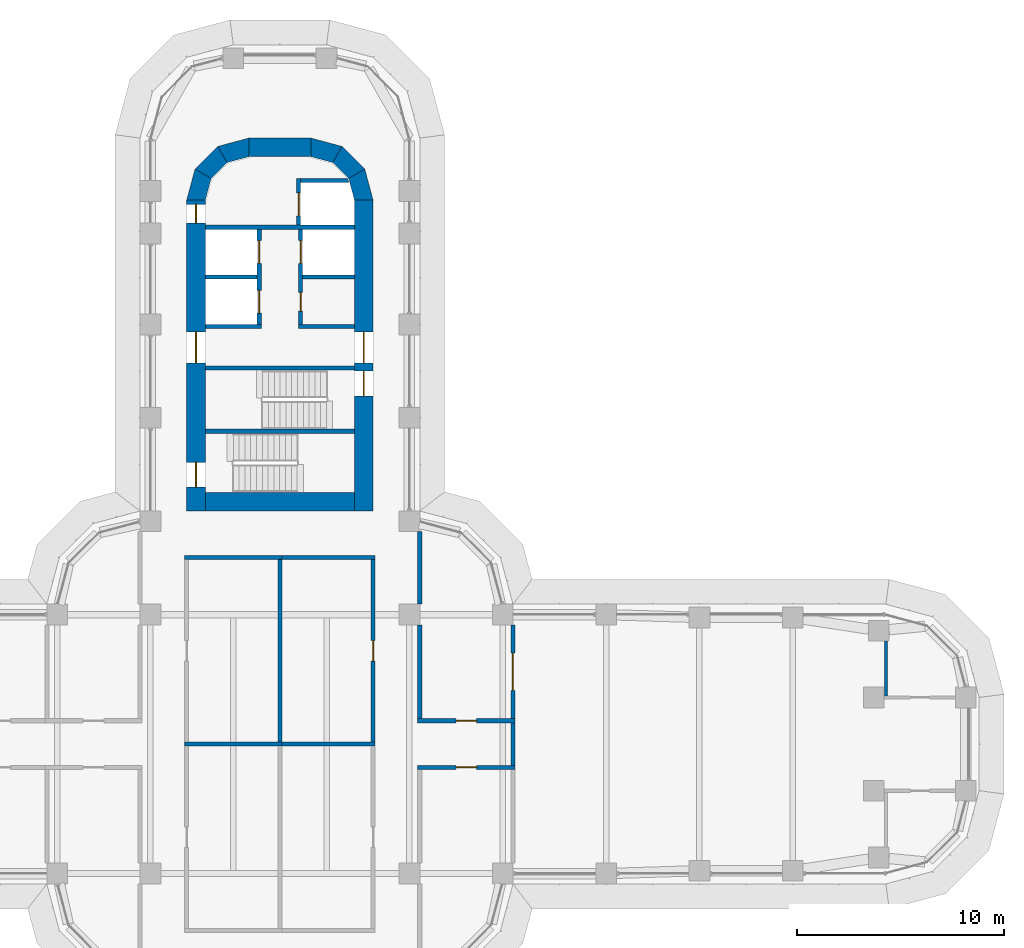
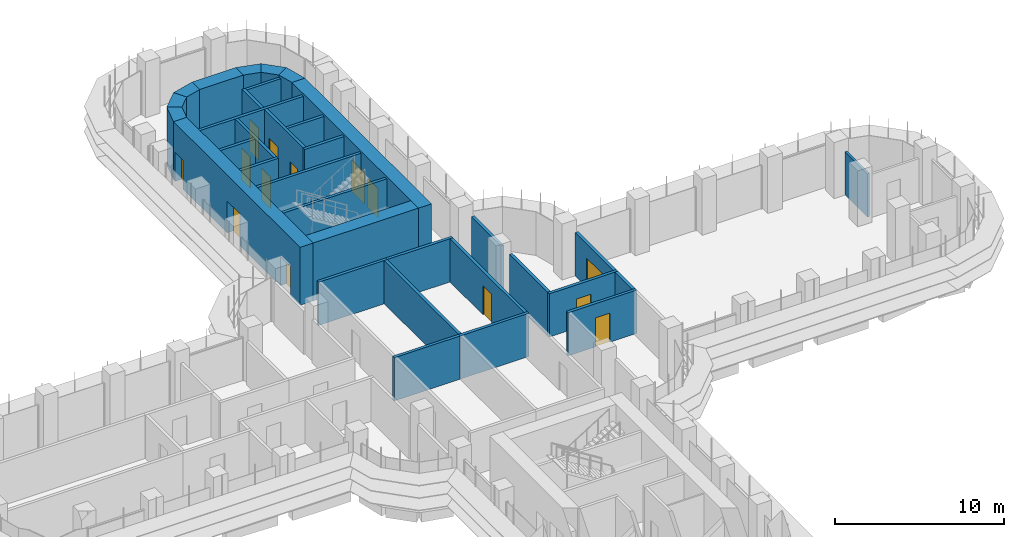
# One storey, part 18 of 23: 34 walls, 14 doors, 14 openings.
"""IFC4 building model written with IfcOpenShell, lengths in metres."""

from ifc_helpers import new_model, si_unit, direction, frame, frame_2d, origin, place, context, subcontext, project, spatial, polyline, rectangle, outline, extrude, material, layer, layer_set, type_object, element, fill, save


model = new_model("IFC4")

# Units and contexts
model_context = context("Model", 3, precision=1e-05, world=origin(), true_north=direction((0.0, 1.0)))
body_context = subcontext(model_context, "Body", "Model", "MODEL_VIEW")
ifc_project = project(units=[si_unit("LENGTHUNIT", "METRE"), si_unit("AREAUNIT", "SQUARE_METRE"), si_unit("VOLUMEUNIT", "CUBIC_METRE"), si_unit("PLANEANGLEUNIT", "RADIAN"), si_unit("MASSUNIT", "GRAM", prefix="KILO")], contexts=[model_context])

# Site, building, storey
site_placement = place(None, origin())
site = spatial("IfcSite", under=ifc_project, at=site_placement, CompositionType="ELEMENT")
building_placement = place(site_placement, origin())
building = spatial("IfcBuilding", under=site, at=building_placement, Name="Zarbagh Exchange Tower", CompositionType="ELEMENT")
storey_placement = place(building_placement, frame((0.0, 0.0, 56.39990234375)))
storey = spatial("IfcBuildingStorey", under=building, at=storey_placement, Name="L12", CompositionType="ELEMENT", Elevation=56.39990234375)

# Wall
ifc_material_1 = material(Name="Plasterboard partition")
ifc_layer_1 = layer(ifc_material_1, 0.14990234375)
ifc_layer_set_1 = layer_set([ifc_layer_1], Name="PARTITION 150")
wall_type_1 = type_object("IfcWallType", Name="PARTITION 150", PredefinedType="PARTITIONING", material=ifc_layer_set_1)
wall_1_placement = place(storey_placement, frame((29.25, 2.324951171875, 0.0), z_axis=(0.0, 0.0, 1.0), x_axis=(0.0, 1.0, 0.0)))
element("IfcWall", 1, at=wall_1_placement, inside=storey, type_object=wall_type_1, Name="Partition W-426", PredefinedType="PARTITIONING", context=body_context, shape_type="SweptSolid", body=[
    extrude(rectangle(XDim=2.650146484375, YDim=0.14990234375, at=frame_2d((1.3251953125, 0.0))), origin(), (0.0, 0.0, 1.0), 3.130615234375),
])

# Wall, opening, door
ifc_material_2 = material(Name="Fire-rated plasterboard partition")
ifc_layer_2 = layer(ifc_material_2, 0.199951171875)
ifc_layer_set_2 = layer_set([ifc_layer_2], Name="RATED PARTITION 200")
wall_type_2 = type_object("IfcWallType", Name="RATED PARTITION 200", PredefinedType="PARTITIONING", material=ifc_layer_set_2)
wall_2_placement = place(storey_placement, frame((4.5, 0.10009765625, 0.0), z_axis=(0.0, 0.0, 1.0), x_axis=(0.0, 1.0, 0.0)))
wall_2 = element("IfcWall", 2, at=wall_2_placement, inside=storey, type_object=wall_type_2, Name="Partition W-407", PredefinedType="PARTITIONING", context=body_context, shape_type="SweptSolid", body=[
    extrude(rectangle(XDim=8.7998046875, YDim=0.199951171875, at=frame_2d((4.39990234375, 0.0))), origin(), (0.0, 0.0, 1.0), 3.130615234375),
])
opening_1_placement = place(wall_2_placement, frame((3.89990234375, 0.0, 0.0)))
opening_1 = element("IfcOpeningElement", 3, at=opening_1_placement, cuts=wall_2, Name="Opening D-401", PredefinedType="OPENING", context=body_context, shape_type="SweptSolid", body=[
    extrude(rectangle(XDim=1.0, YDim=2.10009765625, at=frame_2d((0.5, 1.050048828125))), frame((0.0, 0.10986328125, 0.0), z_axis=(0.0, -1.0, 0.0), x_axis=(1.0, 0.0, 0.0)), (0.0, 0.0, 1.0), 0.219970703125),
])
ifc_material_3 = material(Name="Steel door set", Category="steel")
door_type_1 = type_object("IfcDoorType", Name="FIRE DOOR 1000 X 2100 FD30S", OperationType="NOTDEFINED", PredefinedType="DOOR", material=ifc_material_3)
door_1_placement = place(opening_1_placement, origin())
door_1 = element("IfcDoor", 4, at=door_1_placement, inside=storey, type_object=door_type_1, Name="Door D-401", OperationType="SINGLE_SWING_RIGHT", OverallHeight=2.10009765625, OverallWidth=1.0, PredefinedType="DOOR", context=body_context, shape_type="SweptSolid", body=[
    extrude(rectangle(XDim=1.0, YDim=2.10009765625, at=frame_2d((0.5, 1.050048828125))), frame((0.0, 0.02490234375, 0.0), z_axis=(0.0, -1.0, 0.0), x_axis=(1.0, 0.0, 0.0)), (0.0, 0.0, 1.0), 0.050048828125),
])
fill(opening_1, door_1)

# Walls
wall_3_placement = place(storey_placement, frame((6.75, 1.22509765625, 0.0), z_axis=(0.0, 0.0, 1.0), x_axis=(0.0, 1.0, 0.0)))
element("IfcWall", 5, at=wall_3_placement, inside=storey, type_object=wall_type_2, Name="Partition W-409", PredefinedType="PARTITIONING", context=body_context, shape_type="SweptSolid", body=[
    extrude(rectangle(XDim=4.52490234375, YDim=0.199951171875, at=frame_2d((2.262451171875, 0.0))), origin(), (0.0, 0.0, 1.0), 3.130615234375),
])
wall_4_placement = place(storey_placement, frame((6.75, 6.75, 0.0), z_axis=(0.0, 0.0, 1.0), x_axis=(0.0, 1.0, 0.0)))
element("IfcWall", 6, at=wall_4_placement, inside=storey, type_object=wall_type_2, Name="Partition W-410", PredefinedType="PARTITIONING", context=body_context, shape_type="SweptSolid", body=[
    extrude(rectangle(XDim=3.5, YDim=0.199951171875, at=frame_2d((1.75, 0.0))), origin(), (0.0, 0.0, 1.0), 3.130615234375),
])
for number, where, z_axis, x_axis, name in (
    (7, (-4.60009765625, 9.0, 0.0), (0.0, 0.0, 1.0), (1.0, 0.0, 0.0), "Partition W-413"),
    (8, (-0.10009765625, 9.0, 0.0), (0.0, 0.0, 1.0), (1.0, 0.0, 0.0), "Partition W-414"),
):
    element("IfcWall", number, at=place(storey_placement, frame(where, z_axis=z_axis, x_axis=x_axis)), inside=storey, type_object=wall_type_2, Name=name, PredefinedType="PARTITIONING", context=body_context, shape_type="SweptSolid", body=[
        extrude(rectangle(XDim=4.7001953125, YDim=0.199951171875, at=frame_2d((2.35009765625, 0.0))), origin(), (0.0, 0.0, 1.0), 3.130615234375),
    ])
wall_5_placement = place(storey_placement, frame((0.0, 0.10009765625, 0.0), z_axis=(0.0, 0.0, 1.0), x_axis=(0.0, 1.0, 0.0)))
element("IfcWall", 9, at=wall_5_placement, inside=storey, type_object=wall_type_2, Name="Partition W-417", PredefinedType="PARTITIONING", context=body_context, shape_type="SweptSolid", body=[
    extrude(rectangle(XDim=8.7998046875, YDim=0.199951171875, at=frame_2d((4.39990234375, 0.0))), origin(), (0.0, 0.0, 1.0), 3.130615234375),
])
for number, where, z_axis, x_axis, name in (
    (10, (-4.60009765625, 0.0, 0.0), (0.0, 0.0, 1.0), (1.0, 0.0, 0.0), "Partition W-418"),
    (11, (-0.10009765625, 0.0, 0.0), (0.0, 0.0, 1.0), (1.0, 0.0, 0.0), "Partition W-419"),
):
    element("IfcWall", number, at=place(storey_placement, frame(where, z_axis=z_axis, x_axis=x_axis)), inside=storey, type_object=wall_type_2, Name=name, PredefinedType="PARTITIONING", context=body_context, shape_type="SweptSolid", body=[
        extrude(rectangle(XDim=4.7001953125, YDim=0.199951171875, at=frame_2d((2.35009765625, 0.0))), origin(), (0.0, 0.0, 1.0), 3.130615234375),
    ])

# Wall, opening, door
wall_6_placement = place(storey_placement, frame((6.64990234375, 1.125, 0.0), z_axis=(0.0, 0.0, 1.0), x_axis=(1.0, 0.0, 0.0)))
wall_6 = element("IfcWall", 12, at=wall_6_placement, inside=storey, type_object=wall_type_2, Name="Partition W-421", PredefinedType="PARTITIONING", context=body_context, shape_type="SweptSolid", body=[
    extrude(rectangle(XDim=4.7001953125, YDim=0.199951171875, at=frame_2d((2.35009765625, 0.0))), origin(), (0.0, 0.0, 1.0), 3.130615234375),
])
opening_2_placement = place(wall_6_placement, frame((1.85009765625, 0.0, 0.0)))
opening_2 = element("IfcOpeningElement", 13, at=opening_2_placement, cuts=wall_6, Name="Opening D-408", PredefinedType="OPENING", context=body_context, shape_type="SweptSolid", body=[
    extrude(rectangle(XDim=1.0, YDim=2.10009765625, at=frame_2d((0.5, 1.050048828125))), frame((0.0, 0.10986328125, 0.0), z_axis=(0.0, -1.0, 0.0), x_axis=(1.0, 0.0, 0.0)), (0.0, 0.0, 1.0), 0.219970703125),
])
door_2_placement = place(opening_2_placement, origin())
door_2 = element("IfcDoor", 14, at=door_2_placement, inside=storey, type_object=door_type_1, Name="Door D-408", OperationType="SINGLE_SWING_RIGHT", OverallHeight=2.10009765625, OverallWidth=1.0, PredefinedType="DOOR", context=body_context, shape_type="SweptSolid", body=[
    extrude(rectangle(XDim=1.0, YDim=2.10009765625, at=frame_2d((0.5, 1.050048828125))), frame((0.0, 0.02490234375, 0.0), z_axis=(0.0, -1.0, 0.0), x_axis=(1.0, 0.0, 0.0)), (0.0, 0.0, 1.0), 0.050048828125),
])
fill(opening_2, door_2)

wall_7_placement = place(storey_placement, frame((11.35009765625, -1.125, 0.0), z_axis=(0.0, 0.0, 1.0), x_axis=(-1.0, 0.0, 0.0)))
wall_7 = element("IfcWall", 15, at=wall_7_placement, inside=storey, type_object=wall_type_2, Name="Partition W-422", PredefinedType="PARTITIONING", context=body_context, shape_type="SweptSolid", body=[
    extrude(rectangle(XDim=4.7001953125, YDim=0.199951171875, at=frame_2d((2.35009765625, 0.0))), origin(), (0.0, 0.0, 1.0), 3.130615234375),
])
opening_3_placement = place(wall_7_placement, frame((1.85009765625, 0.0, 0.0)))
opening_3 = element("IfcOpeningElement", 16, at=opening_3_placement, cuts=wall_7, Name="Opening D-409", PredefinedType="OPENING", context=body_context, shape_type="SweptSolid", body=[
    extrude(rectangle(XDim=1.0, YDim=2.10009765625, at=frame_2d((0.5, 1.050048828125))), frame((0.0, 0.10986328125, 0.0), z_axis=(0.0, -1.0, 0.0), x_axis=(1.0, 0.0, 0.0)), (0.0, 0.0, 1.0), 0.219970703125),
])
door_3_placement = place(opening_3_placement, origin())
door_3 = element("IfcDoor", 17, at=door_3_placement, inside=storey, type_object=door_type_1, Name="Door D-409", OperationType="SINGLE_SWING_RIGHT", OverallHeight=2.10009765625, OverallWidth=1.0, PredefinedType="DOOR", context=body_context, shape_type="SweptSolid", body=[
    extrude(rectangle(XDim=1.0, YDim=2.10009765625, at=frame_2d((0.5, 1.050048828125))), frame((0.0, 0.02490234375, 0.0), z_axis=(0.0, -1.0, 0.0), x_axis=(1.0, 0.0, 0.0)), (0.0, 0.0, 1.0), 0.050048828125),
])
fill(opening_3, door_3)

# Wall
wall_8_placement = place(storey_placement, frame((11.25, -1.02490234375, 0.0), z_axis=(0.0, 0.0, 1.0), x_axis=(0.0, 1.0, 0.0)))
element("IfcWall", 18, at=wall_8_placement, inside=storey, type_object=wall_type_2, Name="Partition W-423", PredefinedType="PARTITIONING", context=body_context, shape_type="SweptSolid", body=[
    extrude(rectangle(XDim=2.0498046875, YDim=0.199951171875, at=frame_2d((1.02490234375, 0.0))), origin(), (0.0, 0.0, 1.0), 3.130615234375),
])

# Wall, opening, door
wall_9_placement = place(storey_placement, frame((11.25, 5.75, 0.0), z_axis=(0.0, 0.0, 1.0), x_axis=(0.0, -1.0, 0.0)))
wall_9 = element("IfcWall", 19, at=wall_9_placement, inside=storey, type_object=wall_type_2, Name="Partition W-424", PredefinedType="PARTITIONING", context=body_context, shape_type="SweptSolid", body=[
    extrude(rectangle(XDim=4.52490234375, YDim=0.199951171875, at=frame_2d((2.262451171875, 0.0))), origin(), (0.0, 0.0, 1.0), 3.130615234375),
])
opening_4_placement = place(wall_9_placement, frame((1.362548828125, 0.0, 0.0)))
opening_4 = element("IfcOpeningElement", 20, at=opening_4_placement, cuts=wall_9, Name="Opening D-407", PredefinedType="OPENING", context=body_context, shape_type="SweptSolid", body=[
    extrude(rectangle(XDim=1.800048828125, YDim=2.10009765625, at=frame_2d((0.89990234375, 1.050048828125))), frame((0.0, 0.10986328125, 0.0), z_axis=(0.0, -1.0, 0.0), x_axis=(1.0, 0.0, 0.0)), (0.0, 0.0, 1.0), 0.219970703125),
])
door_type_2 = type_object("IfcDoorType", Name="FIRE DOUBLE DOOR 1800 X 2100 FD30S", OperationType="DOUBLE_DOOR_SINGLE_SWING", PredefinedType="DOOR", material=ifc_material_3)
door_4_placement = place(opening_4_placement, origin())
door_4 = element("IfcDoor", 21, at=door_4_placement, inside=storey, type_object=door_type_2, Name="Door D-407", OperationType="DOUBLE_DOOR_SINGLE_SWING", OverallHeight=2.10009765625, OverallWidth=1.800048828125, PredefinedType="DOOR", context=body_context, shape_type="SweptSolid", body=[
    extrude(rectangle(XDim=1.800048828125, YDim=2.10009765625, at=frame_2d((0.89990234375, 1.050048828125))), frame((0.0, 0.02490234375, 0.0), z_axis=(0.0, -1.0, 0.0), x_axis=(1.0, 0.0, 0.0)), (0.0, 0.0, 1.0), 0.050048828125),
])
fill(opening_4, door_4)

# Walls
ifc_material_4 = material(Name="Concrete C60/75", Category="concrete")
ifc_layer_3 = layer(ifc_material_4, 0.89990234375)
ifc_layer_set_3 = layer_set([ifc_layer_3], Name="RC core corner wall 900 C60/75")
wall_type_3 = type_object("IfcWallType", Name="RC core corner wall 900 C60/75", PredefinedType="SHEAR", material=ifc_layer_set_3)
wall_10_placement = place(storey_placement, origin())
element("IfcWall", 22, at=wall_10_placement, inside=storey, type_object=wall_type_3, Name="CW2 core N corner W", PredefinedType="SHEAR", context=body_context, shape_type="SweptSolid", body=[
    extrude(outline(polyline([(-4.5, 26.25), (-4.09814453125, 27.75), (-3.318603515625, 27.300048828125), (-3.60009765625, 26.25), (-4.5, 26.25)])), origin(), (0.0, 0.0, 1.0), 4.2001953125),
])
wall_11_placement = place(storey_placement, origin())
element("IfcWall", 23, at=wall_11_placement, inside=storey, type_object=wall_type_3, Name="CW2 core N corner W", PredefinedType="SHEAR", context=body_context, shape_type="SweptSolid", body=[
    extrude(outline(polyline([(-4.09814453125, 27.75), (-3.0, 28.84814453125), (-2.550048828125, 28.068603515625), (-3.318603515625, 27.300048828125), (-4.09814453125, 27.75)])), origin(), (0.0, 0.0, 1.0), 4.2001953125),
])
wall_12_placement = place(storey_placement, origin())
element("IfcWall", 24, at=wall_12_placement, inside=storey, type_object=wall_type_3, Name="CW2 core N corner W", PredefinedType="SHEAR", context=body_context, shape_type="SweptSolid", body=[
    extrude(outline(polyline([(-3.0, 28.84814453125), (-1.5, 29.25), (-1.5, 28.35009765625), (-2.550048828125, 28.068603515625), (-3.0, 28.84814453125)])), origin(), (0.0, 0.0, 1.0), 4.2001953125),
])
wall_13_placement = place(storey_placement, origin())
element("IfcWall", 25, at=wall_13_placement, inside=storey, type_object=wall_type_3, Name="CW2 core N corner E", PredefinedType="SHEAR", context=body_context, shape_type="SweptSolid", body=[
    extrude(outline(polyline([(4.5, 26.25), (4.09814453125, 27.75), (3.318603515625, 27.300048828125), (3.60009765625, 26.25), (4.5, 26.25)])), origin(), (0.0, 0.0, 1.0), 4.2001953125),
])
wall_14_placement = place(storey_placement, origin())
element("IfcWall", 26, at=wall_14_placement, inside=storey, type_object=wall_type_3, Name="CW2 core N corner E", PredefinedType="SHEAR", context=body_context, shape_type="SweptSolid", body=[
    extrude(outline(polyline([(4.09814453125, 27.75), (3.0, 28.84814453125), (2.550048828125, 28.068603515625), (3.318603515625, 27.300048828125), (4.09814453125, 27.75)])), origin(), (0.0, 0.0, 1.0), 4.2001953125),
])
wall_15_placement = place(storey_placement, origin())
element("IfcWall", 27, at=wall_15_placement, inside=storey, type_object=wall_type_3, Name="CW2 core N corner E", PredefinedType="SHEAR", context=body_context, shape_type="SweptSolid", body=[
    extrude(outline(polyline([(3.0, 28.84814453125), (1.5, 29.25), (1.5, 28.35009765625), (2.550048828125, 28.068603515625), (3.0, 28.84814453125)])), origin(), (0.0, 0.0, 1.0), 4.2001953125),
])

# Wall, openings, doors
ifc_layer_4 = layer(ifc_material_4, 0.89990234375)
ifc_layer_set_4 = layer_set([ifc_layer_4], Name="RC core wall 900 C60/75")
wall_type_4 = type_object("IfcWallType", Name="RC core wall 900 C60/75", PredefinedType="SHEAR", material=ifc_layer_set_4)
wall_16_placement = place(storey_placement, frame((-4.050048828125, 11.25, 0.0), z_axis=(0.0, 0.0, 1.0), x_axis=(0.0, 1.0, 0.0)))
wall_16 = element("IfcWall", 28, at=wall_16_placement, inside=storey, type_object=wall_type_4, Name="CW1 core N W", PredefinedType="SHEAR", context=body_context, shape_type="SweptSolid", body=[
    extrude(rectangle(XDim=15.0, YDim=0.89990234375, at=frame_2d((7.5, 0.0))), origin(), (0.0, 0.0, 1.0), 4.2001953125),
])
opening_5_placement = place(wall_16_placement, frame((7.14990234375, 0.0, 0.0)))
opening_5 = element("IfcOpeningElement", 29, at=opening_5_placement, cuts=wall_16, Name="Opening CD1-1500", PredefinedType="OPENING", context=body_context, shape_type="SweptSolid", body=[
    extrude(rectangle(XDim=1.5, YDim=2.300048828125, at=frame_2d((0.75, 1.14990234375))), frame((0.0, 0.4599609375, 0.0), z_axis=(0.0, -1.0, 0.0), x_axis=(1.0, 0.0, 0.0)), (0.0, 0.0, 1.0), 0.919921875),
])
opening_6_placement = place(wall_16_placement, frame((13.89990234375, 0.0, 0.0)))
opening_6 = element("IfcOpeningElement", 30, at=opening_6_placement, cuts=wall_16, Name="Opening CD2-900", PredefinedType="OPENING", context=body_context, shape_type="SweptSolid", body=[
    extrude(rectangle(XDim=0.89990234375, YDim=2.10009765625, at=frame_2d((0.449951171875, 1.050048828125))), frame((0.0, 0.4599609375, 0.0), z_axis=(0.0, -1.0, 0.0), x_axis=(1.0, 0.0, 0.0)), (0.0, 0.0, 1.0), 0.919921875),
])
opening_7_placement = place(wall_16_placement, frame((1.14990234375, 0.0, 0.0)))
opening_7 = element("IfcOpeningElement", 31, at=opening_7_placement, cuts=wall_16, Name="Opening SD1-1200", PredefinedType="OPENING", context=body_context, shape_type="SweptSolid", body=[
    extrude(rectangle(XDim=1.199951171875, YDim=2.10009765625, at=frame_2d((0.60009765625, 1.050048828125))), frame((0.0, 0.4599609375, 0.0), z_axis=(0.0, -1.0, 0.0), x_axis=(1.0, 0.0, 0.0)), (0.0, 0.0, 1.0), 0.919921875),
])
ifc_material_5 = material(Name="Steel", Category="steel")
door_type_3 = type_object("IfcDoorType", Name="Exit stair door 1200 x 2100", OperationType="NOTDEFINED", PredefinedType="DOOR", material=ifc_material_5)
door_5_placement = place(opening_7_placement, origin())
door_5 = element("IfcDoor", 32, at=door_5_placement, inside=storey, type_object=door_type_3, Name="North core stair door ST2", OperationType="SINGLE_SWING_LEFT", OverallHeight=2.10009765625, OverallWidth=1.199951171875, PredefinedType="DOOR", context=body_context, shape_type="SweptSolid", body=[
    extrude(rectangle(XDim=1.199951171875, YDim=2.10009765625, at=frame_2d((0.60009765625, 1.050048828125))), frame((0.0, 0.02490234375, 0.0), z_axis=(0.0, -1.0, 0.0), x_axis=(1.0, 0.0, 0.0)), (0.0, 0.0, 1.0), 0.050048828125),
])
fill(opening_7, door_5)
door_type_4 = type_object("IfcDoorType", Name="Firefighting lobby door 900 x 2100", OperationType="NOTDEFINED", PredefinedType="DOOR", material=ifc_material_5)
door_6_placement = place(opening_6_placement, origin())
door_6 = element("IfcDoor", 33, at=door_6_placement, inside=storey, type_object=door_type_4, Name="North core firefighting lobby door FF-W", OperationType="SINGLE_SWING_RIGHT", OverallHeight=2.10009765625, OverallWidth=0.89990234375, PredefinedType="DOOR", context=body_context, shape_type="SweptSolid", body=[
    extrude(rectangle(XDim=0.89990234375, YDim=2.10009765625, at=frame_2d((0.449951171875, 1.050048828125))), frame((0.0, 0.02490234375, 0.0), z_axis=(0.0, -1.0, 0.0), x_axis=(1.0, 0.0, 0.0)), (0.0, 0.0, 1.0), 0.050048828125),
])
fill(opening_6, door_6)
door_type_5 = type_object("IfcDoorType", Name="Lift lobby double door 1500 x 2300", OperationType="NOTDEFINED", PredefinedType="DOOR", material=ifc_material_5)
door_7_placement = place(opening_5_placement, origin())
door_7 = element("IfcDoor", 34, at=door_7_placement, inside=storey, type_object=door_type_5, Name="North core lift lobby door LOBBY-W", OperationType="DOUBLE_DOOR_SINGLE_SWING", OverallHeight=2.300048828125, OverallWidth=1.5, PredefinedType="DOOR", context=body_context, shape_type="SweptSolid", body=[
    extrude(rectangle(XDim=1.5, YDim=2.300048828125, at=frame_2d((0.75, 1.14990234375))), frame((0.0, 0.02490234375, 0.0), z_axis=(0.0, -1.0, 0.0), x_axis=(1.0, 0.0, 0.0)), (0.0, 0.0, 1.0), 0.050048828125),
])
fill(opening_5, door_7)

wall_17_placement = place(storey_placement, frame((4.050048828125, 11.25, 0.0), z_axis=(0.0, 0.0, 1.0), x_axis=(0.0, 1.0, 0.0)))
wall_17 = element("IfcWall", 35, at=wall_17_placement, inside=storey, type_object=wall_type_4, Name="CW1 core N E", PredefinedType="SHEAR", context=body_context, shape_type="SweptSolid", body=[
    extrude(rectangle(XDim=15.0, YDim=0.89990234375, at=frame_2d((7.5, 0.0))), origin(), (0.0, 0.0, 1.0), 4.2001953125),
])
opening_8_placement = place(wall_17_placement, frame((7.14990234375, 0.0, 0.0)))
opening_8 = element("IfcOpeningElement", 36, at=opening_8_placement, cuts=wall_17, Name="Opening CD1-1500", PredefinedType="OPENING", context=body_context, shape_type="SweptSolid", body=[
    extrude(rectangle(XDim=1.5, YDim=2.300048828125, at=frame_2d((0.75, 1.14990234375))), frame((0.0, 0.4599609375, 0.0), z_axis=(0.0, -1.0, 0.0), x_axis=(1.0, 0.0, 0.0)), (0.0, 0.0, 1.0), 0.919921875),
])
opening_9_placement = place(wall_17_placement, frame((5.550048828125, 0.0, 0.0)))
opening_9 = element("IfcOpeningElement", 37, at=opening_9_placement, cuts=wall_17, Name="Opening SD1-1200", PredefinedType="OPENING", context=body_context, shape_type="SweptSolid", body=[
    extrude(rectangle(XDim=1.199951171875, YDim=2.10009765625, at=frame_2d((0.60009765625, 1.050048828125))), frame((0.0, 0.4599609375, 0.0), z_axis=(0.0, -1.0, 0.0), x_axis=(1.0, 0.0, 0.0)), (0.0, 0.0, 1.0), 0.919921875),
])
door_8_placement = place(opening_9_placement, origin())
door_8 = element("IfcDoor", 38, at=door_8_placement, inside=storey, type_object=door_type_3, Name="North core stair door ST1", OperationType="SINGLE_SWING_LEFT", OverallHeight=2.10009765625, OverallWidth=1.199951171875, PredefinedType="DOOR", context=body_context, shape_type="SweptSolid", body=[
    extrude(rectangle(XDim=1.199951171875, YDim=2.10009765625, at=frame_2d((0.60009765625, 1.050048828125))), frame((0.0, 0.02490234375, 0.0), z_axis=(0.0, -1.0, 0.0), x_axis=(1.0, 0.0, 0.0)), (0.0, 0.0, 1.0), 0.050048828125),
])
fill(opening_9, door_8)
door_9_placement = place(opening_8_placement, origin())
door_9 = element("IfcDoor", 39, at=door_9_placement, inside=storey, type_object=door_type_5, Name="North core lift lobby door LOBBY-E", OperationType="DOUBLE_DOOR_SINGLE_SWING", OverallHeight=2.300048828125, OverallWidth=1.5, PredefinedType="DOOR", context=body_context, shape_type="SweptSolid", body=[
    extrude(rectangle(XDim=1.5, YDim=2.300048828125, at=frame_2d((0.75, 1.14990234375))), frame((0.0, 0.02490234375, 0.0), z_axis=(0.0, -1.0, 0.0), x_axis=(1.0, 0.0, 0.0)), (0.0, 0.0, 1.0), 0.050048828125),
])
fill(opening_8, door_9)

# Walls
wall_18_placement = place(storey_placement, frame((-3.60009765625, 11.699951171875, 0.0), z_axis=(0.0, 0.0, 1.0), x_axis=(1.0, 0.0, 0.0)))
element("IfcWall", 40, at=wall_18_placement, inside=storey, type_object=wall_type_4, Name="CW1 core N inner end", PredefinedType="SHEAR", context=body_context, shape_type="SweptSolid", body=[
    extrude(rectangle(XDim=7.2001953125, YDim=0.89990234375, at=frame_2d((3.60009765625, 0.0))), origin(), (0.0, 0.0, 1.0), 4.2001953125),
])
wall_19_placement = place(storey_placement, frame((-1.5, 28.800048828125, 0.0), z_axis=(0.0, 0.0, 1.0), x_axis=(1.0, 0.0, 0.0)))
element("IfcWall", 41, at=wall_19_placement, inside=storey, type_object=wall_type_4, Name="CW1 core N outer end", PredefinedType="SHEAR", context=body_context, shape_type="SweptSolid", body=[
    extrude(rectangle(XDim=3.0, YDim=0.89990234375, at=frame_2d((1.5, 0.0))), origin(), (0.0, 0.0, 1.0), 4.2001953125),
])
ifc_material_6 = material(Name="Dense blockwork", Category="masonry")
ifc_layer_5 = layer(ifc_material_6, 0.199951171875)
ifc_layer_set_5 = layer_set([ifc_layer_5], Name="Shaft wall 200 mm blockwork")
wall_type_5 = type_object("IfcWallType", Name="Shaft wall 200 mm blockwork", PredefinedType="PARTITIONING", material=ifc_layer_set_5)
wall_20_placement = place(storey_placement, frame((-3.60009765625, 20.14990234375, 0.0), z_axis=(0.0, 0.0, 1.0), x_axis=(1.0, 0.0, 0.0)))
element("IfcWall", 42, at=wall_20_placement, inside=storey, type_object=wall_type_5, Name="North core shaft wall AB-W", PredefinedType="PARTITIONING", context=body_context, shape_type="SweptSolid", body=[
    extrude(rectangle(XDim=2.7001953125, YDim=0.199951171875, at=frame_2d((1.35009765625, 0.0))), origin(), (0.0, 0.0, 1.0), 4.050048828125),
])

# Wall, openings, doors
wall_21_placement = place(storey_placement, frame((-1.0, 24.85009765625, 0.0), z_axis=(0.0, 0.0, 1.0), x_axis=(0.0, -1.0, 0.0)))
wall_21 = element("IfcWall", 43, at=wall_21_placement, inside=storey, type_object=wall_type_5, Name="North core shaft wall LW-W", PredefinedType="PARTITIONING", context=body_context, shape_type="SweptSolid", body=[
    extrude(rectangle(XDim=4.60009765625, YDim=0.199951171875, at=frame_2d((2.300048828125, 0.0))), origin(), (0.0, 0.0, 1.0), 4.050048828125),
])
opening_10_placement = place(wall_21_placement, frame((0.550048828125, 0.0, 0.0)))
opening_10 = element("IfcOpeningElement", 44, at=opening_10_placement, cuts=wall_21, Name="Opening LD-1100", PredefinedType="OPENING", context=body_context, shape_type="SweptSolid", body=[
    extrude(rectangle(XDim=1.10009765625, YDim=2.300048828125, at=frame_2d((0.550048828125, 1.14990234375))), frame((0.0, 0.10986328125, 0.0), z_axis=(0.0, -1.0, 0.0), x_axis=(1.0, 0.0, 0.0)), (0.0, 0.0, 1.0), 0.219970703125),
])
opening_11_placement = place(wall_21_placement, frame((2.949951171875, 0.0, 0.0)))
opening_11 = element("IfcOpeningElement", 45, at=opening_11_placement, cuts=wall_21, Name="Opening LD-1100", PredefinedType="OPENING", context=body_context, shape_type="SweptSolid", body=[
    extrude(rectangle(XDim=1.10009765625, YDim=2.300048828125, at=frame_2d((0.550048828125, 1.14990234375))), frame((0.0, 0.10986328125, 0.0), z_axis=(0.0, -1.0, 0.0), x_axis=(1.0, 0.0, 0.0)), (0.0, 0.0, 1.0), 0.219970703125),
])
ifc_material_7 = material(Name="Stainless steel", Category="steel")
door_type_6 = type_object("IfcDoorType", Name="Lift landing door 1100 x 2300", OperationType="NOTDEFINED", PredefinedType="DOOR", material=ifc_material_7)
door_10_placement = place(opening_10_placement, origin())
door_10 = element("IfcDoor", 46, at=door_10_placement, inside=storey, type_object=door_type_6, Name="North core lift landing door LD-P-N1", OperationType="DOUBLE_DOOR_SLIDING", OverallHeight=2.300048828125, OverallWidth=1.10009765625, PredefinedType="DOOR", context=body_context, shape_type="SweptSolid", body=[
    extrude(rectangle(XDim=1.10009765625, YDim=2.300048828125, at=frame_2d((0.550048828125, 1.14990234375))), frame((0.0, 0.02490234375, 0.0), z_axis=(0.0, -1.0, 0.0), x_axis=(1.0, 0.0, 0.0)), (0.0, 0.0, 1.0), 0.050048828125),
])
fill(opening_10, door_10)
door_11_placement = place(opening_11_placement, origin())
door_11 = element("IfcDoor", 47, at=door_11_placement, inside=storey, type_object=door_type_6, Name="North core lift landing door LD-P-N2", OperationType="DOUBLE_DOOR_SLIDING", OverallHeight=2.300048828125, OverallWidth=1.10009765625, PredefinedType="DOOR", context=body_context, shape_type="SweptSolid", body=[
    extrude(rectangle(XDim=1.10009765625, YDim=2.300048828125, at=frame_2d((0.550048828125, 1.14990234375))), frame((0.0, 0.02490234375, 0.0), z_axis=(0.0, -1.0, 0.0), x_axis=(1.0, 0.0, 0.0)), (0.0, 0.0, 1.0), 0.050048828125),
])
fill(opening_11, door_11)

# Wall
wall_22_placement = place(storey_placement, frame((0.89990234375, 20.14990234375, 0.0), z_axis=(0.0, 0.0, 1.0), x_axis=(1.0, 0.0, 0.0)))
element("IfcWall", 48, at=wall_22_placement, inside=storey, type_object=wall_type_5, Name="North core shaft wall AB-E", PredefinedType="PARTITIONING", context=body_context, shape_type="SweptSolid", body=[
    extrude(rectangle(XDim=2.7001953125, YDim=0.199951171875, at=frame_2d((1.35009765625, 0.0))), origin(), (0.0, 0.0, 1.0), 4.050048828125),
])

# Wall, openings, doors
wall_23_placement = place(storey_placement, frame((1.0, 24.85009765625, 0.0), z_axis=(0.0, 0.0, 1.0), x_axis=(0.0, -1.0, 0.0)))
wall_23 = element("IfcWall", 49, at=wall_23_placement, inside=storey, type_object=wall_type_5, Name="North core shaft wall LW-E", PredefinedType="PARTITIONING", context=body_context, shape_type="SweptSolid", body=[
    extrude(rectangle(XDim=4.60009765625, YDim=0.199951171875, at=frame_2d((2.300048828125, 0.0))), origin(), (0.0, 0.0, 1.0), 4.050048828125),
])
opening_12_placement = place(wall_23_placement, frame((0.550048828125, 0.0, 0.0)))
opening_12 = element("IfcOpeningElement", 50, at=opening_12_placement, cuts=wall_23, Name="Opening LD-1100", PredefinedType="OPENING", context=body_context, shape_type="SweptSolid", body=[
    extrude(rectangle(XDim=1.10009765625, YDim=2.300048828125, at=frame_2d((0.550048828125, 1.14990234375))), frame((0.0, 0.10986328125, 0.0), z_axis=(0.0, -1.0, 0.0), x_axis=(1.0, 0.0, 0.0)), (0.0, 0.0, 1.0), 0.219970703125),
])
opening_13_placement = place(wall_23_placement, frame((3.050048828125, 0.0, 0.0)))
opening_13 = element("IfcOpeningElement", 51, at=opening_13_placement, cuts=wall_23, Name="Opening CD3-900", PredefinedType="OPENING", context=body_context, shape_type="SweptSolid", body=[
    extrude(rectangle(XDim=0.89990234375, YDim=2.10009765625, at=frame_2d((0.449951171875, 1.050048828125))), frame((0.0, 0.10986328125, 0.0), z_axis=(0.0, -1.0, 0.0), x_axis=(1.0, 0.0, 0.0)), (0.0, 0.0, 1.0), 0.219970703125),
])
door_type_7 = type_object("IfcDoorType", Name="Core room door 900 x 2100", OperationType="NOTDEFINED", PredefinedType="DOOR", material=ifc_material_5)
door_12_placement = place(opening_13_placement, origin())
door_12 = element("IfcDoor", 52, at=door_12_placement, inside=storey, type_object=door_type_7, Name="North core Accessible WC door RD-E-0", OperationType="SINGLE_SWING_RIGHT", OverallHeight=2.10009765625, OverallWidth=0.89990234375, PredefinedType="DOOR", context=body_context, shape_type="SweptSolid", body=[
    extrude(rectangle(XDim=0.89990234375, YDim=2.10009765625, at=frame_2d((0.449951171875, 1.050048828125))), frame((0.0, 0.02490234375, 0.0), z_axis=(0.0, -1.0, 0.0), x_axis=(1.0, 0.0, 0.0)), (0.0, 0.0, 1.0), 0.050048828125),
])
fill(opening_13, door_12)
door_13_placement = place(opening_12_placement, origin())
door_13 = element("IfcDoor", 53, at=door_13_placement, inside=storey, type_object=door_type_6, Name="North core lift landing door LD-P-N3", OperationType="DOUBLE_DOOR_SLIDING", OverallHeight=2.300048828125, OverallWidth=1.10009765625, PredefinedType="DOOR", context=body_context, shape_type="SweptSolid", body=[
    extrude(rectangle(XDim=1.10009765625, YDim=2.300048828125, at=frame_2d((0.550048828125, 1.14990234375))), frame((0.0, 0.02490234375, 0.0), z_axis=(0.0, -1.0, 0.0), x_axis=(1.0, 0.0, 0.0)), (0.0, 0.0, 1.0), 0.050048828125),
])
fill(opening_12, door_13)

# Walls
for number, where, z_axis, x_axis, name in (
    (54, (-3.60009765625, 22.550048828125, 0.0), (0.0, 0.0, 1.0), (1.0, 0.0, 0.0), "North core shaft wall TR-W"),
    (55, (1.10009765625, 22.550048828125, 0.0), (0.0, 0.0, 1.0), (1.0, 0.0, 0.0), "North core shaft wall TR-E"),
):
    element("IfcWall", number, at=place(storey_placement, frame(where, z_axis=z_axis, x_axis=x_axis)), inside=storey, type_object=wall_type_5, Name=name, PredefinedType="PARTITIONING", context=body_context, shape_type="SweptSolid", body=[
        extrude(rectangle(XDim=2.5, YDim=0.199951171875, at=frame_2d((1.25, 0.0))), origin(), (0.0, 0.0, 1.0), 4.050048828125),
    ])
ifc_material_8 = material(Name="Concrete C40/50", Category="concrete")
ifc_layer_6 = layer(ifc_material_8, 0.199951171875)
ifc_layer_set_6 = layer_set([ifc_layer_6], Name="Stair enclosure wall 200 mm RC C40/50")
wall_type_6 = type_object("IfcWallType", Name="Stair enclosure wall 200 mm RC C40/50", PredefinedType="SHEAR", material=ifc_layer_set_6)
wall_24_placement = place(storey_placement, frame((-3.60009765625, 24.949951171875, 0.0), z_axis=(0.0, 0.0, 1.0), x_axis=(1.0, 0.0, 0.0)))
element("IfcWall", 56, at=wall_24_placement, inside=storey, type_object=wall_type_6, Name="North core lift shaft wall FFA", PredefinedType="SHEAR", context=body_context, shape_type="SweptSolid", body=[
    extrude(rectangle(XDim=7.2001953125, YDim=0.199951171875, at=frame_2d((3.60009765625, 0.0))), origin(), (0.0, 0.0, 1.0), 4.050048828125),
])

# Wall, opening, door
wall_25_placement = place(storey_placement, frame((0.89990234375, 27.300048828125, 0.0), z_axis=(0.0, 0.0, 1.0), x_axis=(0.0, -1.0, 0.0)))
wall_25 = element("IfcWall", 57, at=wall_25_placement, inside=storey, type_object=wall_type_6, Name="North core lift shaft wall FFL", PredefinedType="SHEAR", context=body_context, shape_type="SweptSolid", body=[
    extrude(rectangle(XDim=2.25, YDim=0.199951171875, at=frame_2d((1.125, 0.0))), origin(), (0.0, 0.0, 1.0), 4.050048828125),
])
opening_14_placement = place(wall_25_placement, frame((0.699951171875, 0.0, 0.0)))
opening_14 = element("IfcOpeningElement", 58, at=opening_14_placement, cuts=wall_25, Name="Opening LD-1100", PredefinedType="OPENING", context=body_context, shape_type="SweptSolid", body=[
    extrude(rectangle(XDim=1.10009765625, YDim=2.300048828125, at=frame_2d((0.550048828125, 1.14990234375))), frame((0.0, 0.10986328125, 0.0), z_axis=(0.0, -1.0, 0.0), x_axis=(1.0, 0.0, 0.0)), (0.0, 0.0, 1.0), 0.219970703125),
])
door_14_placement = place(opening_14_placement, origin())
door_14 = element("IfcDoor", 59, at=door_14_placement, inside=storey, type_object=door_type_6, Name="North core lift landing door LD-F", OperationType="DOUBLE_DOOR_SLIDING", OverallHeight=2.300048828125, OverallWidth=1.10009765625, PredefinedType="DOOR", context=body_context, shape_type="SweptSolid", body=[
    extrude(rectangle(XDim=1.10009765625, YDim=2.300048828125, at=frame_2d((0.550048828125, 1.14990234375))), frame((0.0, 0.02490234375, 0.0), z_axis=(0.0, -1.0, 0.0), x_axis=(1.0, 0.0, 0.0)), (0.0, 0.0, 1.0), 0.050048828125),
])
fill(opening_14, door_14)

# Walls
wall_26_placement = place(storey_placement, origin())
element("IfcWall", 60, at=wall_26_placement, inside=storey, type_object=wall_type_6, Name="North core lift shaft wall FFX", PredefinedType="SHEAR", context=body_context, shape_type="SweptSolid", body=[
    extrude(outline(polyline([(1.0, 27.10009765625), (3.340576171875, 27.10009765625), (3.291259765625, 27.2841796875), (3.275390625, 27.300048828125), (1.0, 27.300048828125), (1.0, 27.10009765625)])), origin(), (0.0, 0.0, 1.0), 4.050048828125),
])
for number, where, z_axis, x_axis, name in (
    (61, (-3.60009765625, 18.14990234375, 0.0), (0.0, 0.0, 1.0), (1.0, 0.0, 0.0), "North core stair wall BS"),
    (62, (-3.60009765625, 15.10009765625, 0.0), (0.0, 0.0, 1.0), (1.0, 0.0, 0.0), "North core stair wall ST12"),
):
    element("IfcWall", number, at=place(storey_placement, frame(where, z_axis=z_axis, x_axis=x_axis)), inside=storey, type_object=wall_type_6, Name=name, PredefinedType="SHEAR", context=body_context, shape_type="SweptSolid", body=[
        extrude(rectangle(XDim=7.2001953125, YDim=0.199951171875, at=frame_2d((3.60009765625, 0.0))), origin(), (0.0, 0.0, 1.0), 4.050048828125),
    ])

save(model, "model.ifc")
